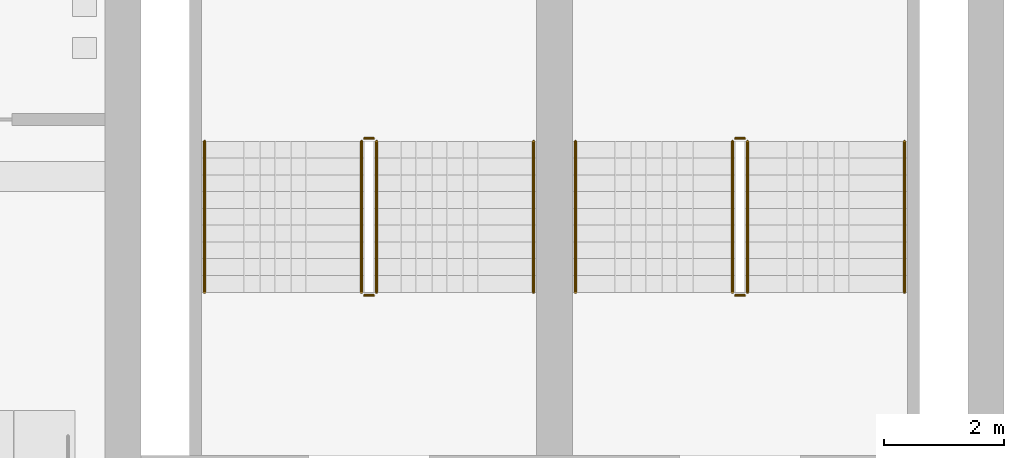
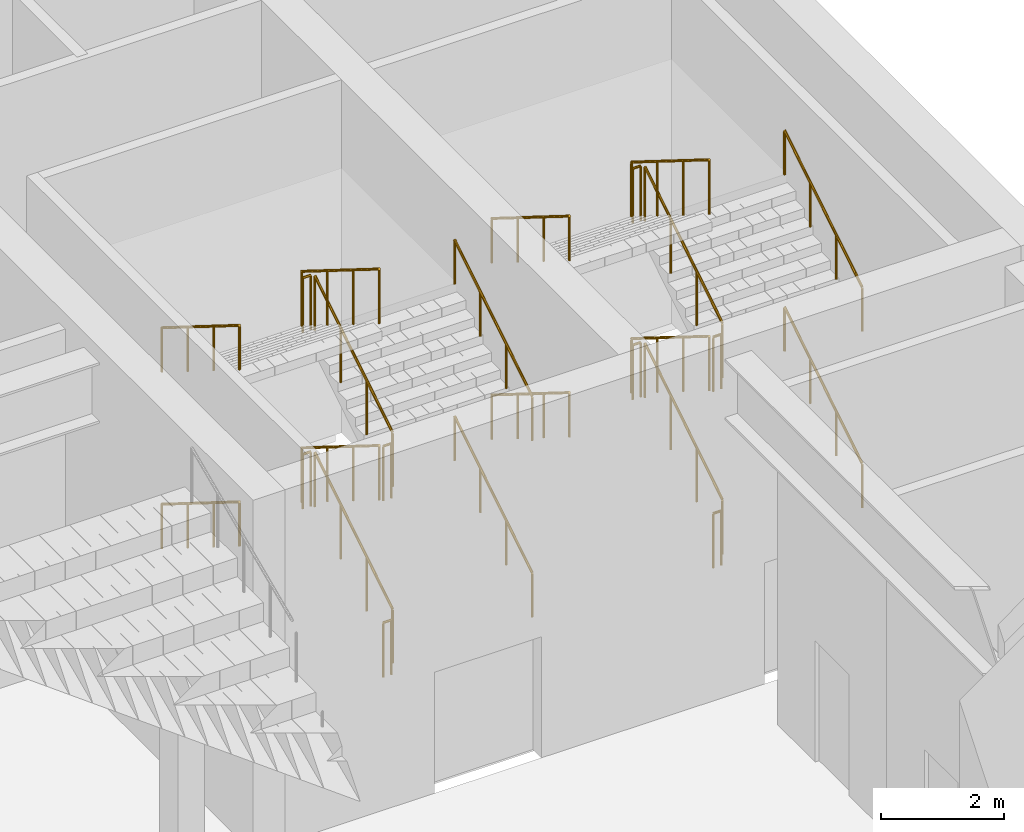
# One storey, part 61 of 62: 4 railings.
"""IFC4 building model written with IfcOpenShell, lengths in metres."""

from ifc_helpers import new_model, si_unit, direction, frame, origin, origin_2d, place, context, subcontext, project, spatial, circle, extrude, material, type_object, element, save


model = new_model("IFC4")

# Units and contexts
model_context = context("Model", 3, precision=1e-05, world=origin(), true_north=direction((0.0, 1.0)))
body_context = subcontext(model_context, "Body", "Model", "MODEL_VIEW")
ifc_project = project(units=[si_unit("LENGTHUNIT", "METRE"), si_unit("AREAUNIT", "SQUARE_METRE"), si_unit("VOLUMEUNIT", "CUBIC_METRE"), si_unit("PLANEANGLEUNIT", "RADIAN"), si_unit("MASSUNIT", "GRAM", prefix="KILO")], contexts=[model_context])

# Site, building, storey
site_placement = place(None, origin())
site = spatial("IfcSite", under=ifc_project, at=site_placement, CompositionType="ELEMENT")
building_placement = place(site_placement, origin())
building = spatial("IfcBuilding", under=site, at=building_placement, Name="Corbelhall Arena Tower", CompositionType="ELEMENT")
storey_placement = place(building_placement, frame((0.0, 0.0, 12.0)))
storey = spatial("IfcBuildingStorey", under=building, at=storey_placement, Name="L01", CompositionType="ELEMENT", Elevation=12.0)

# Railings
ifc_material = material(Name="Stainless steel A4", Category="steel")
railing_type_1 = type_object("IfcRailingType", Name="AR-STAIR-GUARD", PredefinedType="GUARDRAIL", material=ifc_material)
railing_1_placement = place(storey_placement, frame((37.530029296875, 27.320068359375, 0.175048828125)))
element("IfcRailing", 1, at=railing_1_placement, inside=storey, type_object=railing_type_1, Name="L01 AS1 stair guards", PredefinedType="GUARDRAIL", context=body_context, shape_type="SweptSolid", body=[
    extrude(circle(Radius=0.02392578125, at=origin_2d()), frame((0.0, 0.0, 1.076171875), z_axis=(0.0, 0.848007534815, 0.529984170421), x_axis=(-1.0, 0.0, 0.0)), (0.0, 0.0, 1.0), 2.9716796875),
    extrude(circle(Radius=0.02392578125, at=origin_2d()), frame((-0.050048828125, 2.56982421875, 2.65087890625), z_axis=(-1.0, 0.0, 0.0), x_axis=(0.0, -1.0, 0.0)), (0.0, 0.0, 1.0), 0.14990234375),
    extrude(circle(Radius=0.02392578125, at=origin_2d()), frame((-0.25, 2.52001953125, 2.826171875), z_axis=(0.0, -0.848007534815, 0.529984170421), x_axis=(1.0, 0.0, 0.0)), (0.0, 0.0, 1.0), 2.9716796875),
    extrude(circle(Radius=0.02392578125, at=origin_2d()), frame((-0.050048828125, -0.050048828125, 4.40087890625), z_axis=(-1.0, 0.0, 0.0), x_axis=(0.0, -1.0, 0.0)), (0.0, 0.0, 1.0), 0.14990234375),
    extrude(circle(Radius=0.02392578125, at=origin_2d()), frame((0.0, 0.0, 4.576171875), z_axis=(0.0, 0.848007534815, 0.529984170421), x_axis=(-1.0, 0.0, 0.0)), (0.0, 0.0, 1.0), 2.9716796875),
    extrude(circle(Radius=0.02392578125, at=origin_2d()), frame((-0.050048828125, 2.56982421875, 6.15087890625), z_axis=(-1.0, 0.0, 0.0), x_axis=(0.0, -1.0, 0.0)), (0.0, 0.0, 1.0), 0.14990234375),
    extrude(circle(Radius=0.02392578125, at=origin_2d()), frame((-0.25, 2.52001953125, 6.326171875), z_axis=(0.0, -0.848007534815, 0.529984170421), x_axis=(1.0, 0.0, 0.0)), (0.0, 0.0, 1.0), 2.9716796875),
    extrude(circle(Radius=0.02392578125, at=origin_2d()), frame((-0.050048828125, -0.050048828125, 0.90087890625), z_axis=(-1.0, 0.0, 0.0), x_axis=(0.0, -1.0, 0.0)), (0.0, 0.0, 1.0), 0.14990234375),
    extrude(circle(Radius=0.02099609375, at=origin_2d()), origin(), (0.0, 0.0, 1.0), 1.052001953125),
    extrude(circle(Radius=0.02099609375, at=origin_2d()), frame((0.0, 0.840087890625, 0.52490234375)), (0.0, 0.0, 1.0), 1.052001953125),
    extrude(circle(Radius=0.02099609375, at=origin_2d()), frame((0.0, 1.679931640625, 1.050048828125)), (0.0, 0.0, 1.0), 1.052001953125),
    extrude(circle(Radius=0.02099609375, at=origin_2d()), frame((0.0, 2.52001953125, 1.574951171875)), (0.0, 0.0, 1.0), 1.052001953125),
    extrude(circle(Radius=0.02099609375, at=origin_2d()), frame((-0.050048828125, 2.56982421875, 1.574951171875)), (0.0, 0.0, 1.0), 1.052001953125),
    extrude(circle(Radius=0.02099609375, at=origin_2d()), frame((-0.199951171875, 2.56982421875, 1.574951171875)), (0.0, 0.0, 1.0), 1.052001953125),
    extrude(circle(Radius=0.02099609375, at=origin_2d()), frame((-0.25, 2.52001953125, 1.75)), (0.0, 0.0, 1.0), 1.052001953125),
    extrude(circle(Radius=0.02099609375, at=origin_2d()), frame((-0.25, 1.679931640625, 2.27490234375)), (0.0, 0.0, 1.0), 1.052001953125),
    extrude(circle(Radius=0.02099609375, at=origin_2d()), frame((-0.25, 0.840087890625, 2.800048828125)), (0.0, 0.0, 1.0), 1.052001953125),
    extrude(circle(Radius=0.02099609375, at=origin_2d()), frame((-0.25, 0.0, 3.324951171875)), (0.0, 0.0, 1.0), 1.052001953125),
    extrude(circle(Radius=0.02099609375, at=origin_2d()), frame((-0.050048828125, -0.050048828125, 3.324951171875)), (0.0, 0.0, 1.0), 1.052001953125),
    extrude(circle(Radius=0.02099609375, at=origin_2d()), frame((-0.199951171875, -0.050048828125, 3.324951171875)), (0.0, 0.0, 1.0), 1.052001953125),
    extrude(circle(Radius=0.02099609375, at=origin_2d()), frame((0.0, 0.0, 3.5)), (0.0, 0.0, 1.0), 1.052001953125),
    extrude(circle(Radius=0.02099609375, at=origin_2d()), frame((0.0, 0.840087890625, 4.02490234375)), (0.0, 0.0, 1.0), 1.052001953125),
    extrude(circle(Radius=0.02099609375, at=origin_2d()), frame((0.0, 1.679931640625, 4.550048828125)), (0.0, 0.0, 1.0), 1.052001953125),
    extrude(circle(Radius=0.02099609375, at=origin_2d()), frame((0.0, 2.52001953125, 5.074951171875)), (0.0, 0.0, 1.0), 1.052001953125),
    extrude(circle(Radius=0.02099609375, at=origin_2d()), frame((-0.050048828125, 2.56982421875, 5.074951171875)), (0.0, 0.0, 1.0), 1.052001953125),
    extrude(circle(Radius=0.02099609375, at=origin_2d()), frame((-0.199951171875, 2.56982421875, 5.074951171875)), (0.0, 0.0, 1.0), 1.052001953125),
    extrude(circle(Radius=0.02099609375, at=origin_2d()), frame((-0.25, 2.52001953125, 5.25)), (0.0, 0.0, 1.0), 1.052001953125),
    extrude(circle(Radius=0.02099609375, at=origin_2d()), frame((-0.25, 1.679931640625, 5.77490234375)), (0.0, 0.0, 1.0), 1.052001953125),
    extrude(circle(Radius=0.02099609375, at=origin_2d()), frame((-0.25, 0.840087890625, 6.300048828125)), (0.0, 0.0, 1.0), 1.052001953125),
    extrude(circle(Radius=0.02099609375, at=origin_2d()), frame((-0.25, 0.0, 6.824951171875)), (0.0, 0.0, 1.0), 1.052001953125),
    extrude(circle(Radius=0.02099609375, at=origin_2d()), frame((-0.050048828125, -0.050048828125, -0.175048828125)), (0.0, 0.0, 1.0), 1.052001953125),
    extrude(circle(Radius=0.02099609375, at=origin_2d()), frame((-0.199951171875, -0.050048828125, -0.175048828125)), (0.0, 0.0, 1.0), 1.052001953125),
])
railing_2_placement = place(storey_placement, frame((43.719970703125, 27.320068359375, 0.175048828125)))
element("IfcRailing", 2, at=railing_2_placement, inside=storey, type_object=railing_type_1, Name="L01 AS2 stair guards", PredefinedType="GUARDRAIL", context=body_context, shape_type="SweptSolid", body=[
    extrude(circle(Radius=0.02392578125, at=origin_2d()), frame((0.0, 0.0, 1.076171875), z_axis=(0.0, 0.848007534815, 0.529984170421), x_axis=(-1.0, 0.0, 0.0)), (0.0, 0.0, 1.0), 2.9716796875),
    extrude(circle(Radius=0.02392578125, at=origin_2d()), frame((-0.050048828125, 2.56982421875, 2.65087890625), z_axis=(-1.0, 0.0, 0.0), x_axis=(0.0, -1.0, 0.0)), (0.0, 0.0, 1.0), 0.14990234375),
    extrude(circle(Radius=0.02392578125, at=origin_2d()), frame((-0.25, 2.52001953125, 2.826171875), z_axis=(0.0, -0.848007534815, 0.529984170421), x_axis=(1.0, 0.0, 0.0)), (0.0, 0.0, 1.0), 2.9716796875),
    extrude(circle(Radius=0.02392578125, at=origin_2d()), frame((-0.050048828125, -0.050048828125, 4.40087890625), z_axis=(-1.0, 0.0, 0.0), x_axis=(0.0, -1.0, 0.0)), (0.0, 0.0, 1.0), 0.14990234375),
    extrude(circle(Radius=0.02392578125, at=origin_2d()), frame((0.0, 0.0, 4.576171875), z_axis=(0.0, 0.848007534815, 0.529984170421), x_axis=(-1.0, 0.0, 0.0)), (0.0, 0.0, 1.0), 2.9716796875),
    extrude(circle(Radius=0.02392578125, at=origin_2d()), frame((-0.050048828125, 2.56982421875, 6.15087890625), z_axis=(-1.0, 0.0, 0.0), x_axis=(0.0, -1.0, 0.0)), (0.0, 0.0, 1.0), 0.14990234375),
    extrude(circle(Radius=0.02392578125, at=origin_2d()), frame((-0.25, 2.52001953125, 6.326171875), z_axis=(0.0, -0.848007534815, 0.529984170421), x_axis=(1.0, 0.0, 0.0)), (0.0, 0.0, 1.0), 2.9716796875),
    extrude(circle(Radius=0.02392578125, at=origin_2d()), frame((-0.050048828125, -0.050048828125, 0.90087890625), z_axis=(-1.0, 0.0, 0.0), x_axis=(0.0, -1.0, 0.0)), (0.0, 0.0, 1.0), 0.14990234375),
    extrude(circle(Radius=0.02099609375, at=origin_2d()), origin(), (0.0, 0.0, 1.0), 1.052001953125),
    extrude(circle(Radius=0.02099609375, at=origin_2d()), frame((0.0, 0.840087890625, 0.52490234375)), (0.0, 0.0, 1.0), 1.052001953125),
    extrude(circle(Radius=0.02099609375, at=origin_2d()), frame((0.0, 1.679931640625, 1.050048828125)), (0.0, 0.0, 1.0), 1.052001953125),
    extrude(circle(Radius=0.02099609375, at=origin_2d()), frame((0.0, 2.52001953125, 1.574951171875)), (0.0, 0.0, 1.0), 1.052001953125),
    extrude(circle(Radius=0.02099609375, at=origin_2d()), frame((-0.050048828125, 2.56982421875, 1.574951171875)), (0.0, 0.0, 1.0), 1.052001953125),
    extrude(circle(Radius=0.02099609375, at=origin_2d()), frame((-0.199951171875, 2.56982421875, 1.574951171875)), (0.0, 0.0, 1.0), 1.052001953125),
    extrude(circle(Radius=0.02099609375, at=origin_2d()), frame((-0.25, 2.52001953125, 1.75)), (0.0, 0.0, 1.0), 1.052001953125),
    extrude(circle(Radius=0.02099609375, at=origin_2d()), frame((-0.25, 1.679931640625, 2.27490234375)), (0.0, 0.0, 1.0), 1.052001953125),
    extrude(circle(Radius=0.02099609375, at=origin_2d()), frame((-0.25, 0.840087890625, 2.800048828125)), (0.0, 0.0, 1.0), 1.052001953125),
    extrude(circle(Radius=0.02099609375, at=origin_2d()), frame((-0.25, 0.0, 3.324951171875)), (0.0, 0.0, 1.0), 1.052001953125),
    extrude(circle(Radius=0.02099609375, at=origin_2d()), frame((-0.050048828125, -0.050048828125, 3.324951171875)), (0.0, 0.0, 1.0), 1.052001953125),
    extrude(circle(Radius=0.02099609375, at=origin_2d()), frame((-0.199951171875, -0.050048828125, 3.324951171875)), (0.0, 0.0, 1.0), 1.052001953125),
    extrude(circle(Radius=0.02099609375, at=origin_2d()), frame((0.0, 0.0, 3.5)), (0.0, 0.0, 1.0), 1.052001953125),
    extrude(circle(Radius=0.02099609375, at=origin_2d()), frame((0.0, 0.840087890625, 4.02490234375)), (0.0, 0.0, 1.0), 1.052001953125),
    extrude(circle(Radius=0.02099609375, at=origin_2d()), frame((0.0, 1.679931640625, 4.550048828125)), (0.0, 0.0, 1.0), 1.052001953125),
    extrude(circle(Radius=0.02099609375, at=origin_2d()), frame((0.0, 2.52001953125, 5.074951171875)), (0.0, 0.0, 1.0), 1.052001953125),
    extrude(circle(Radius=0.02099609375, at=origin_2d()), frame((-0.050048828125, 2.56982421875, 5.074951171875)), (0.0, 0.0, 1.0), 1.052001953125),
    extrude(circle(Radius=0.02099609375, at=origin_2d()), frame((-0.199951171875, 2.56982421875, 5.074951171875)), (0.0, 0.0, 1.0), 1.052001953125),
    extrude(circle(Radius=0.02099609375, at=origin_2d()), frame((-0.25, 2.52001953125, 5.25)), (0.0, 0.0, 1.0), 1.052001953125),
    extrude(circle(Radius=0.02099609375, at=origin_2d()), frame((-0.25, 1.679931640625, 5.77490234375)), (0.0, 0.0, 1.0), 1.052001953125),
    extrude(circle(Radius=0.02099609375, at=origin_2d()), frame((-0.25, 0.840087890625, 6.300048828125)), (0.0, 0.0, 1.0), 1.052001953125),
    extrude(circle(Radius=0.02099609375, at=origin_2d()), frame((-0.25, 0.0, 6.824951171875)), (0.0, 0.0, 1.0), 1.052001953125),
    extrude(circle(Radius=0.02099609375, at=origin_2d()), frame((-0.050048828125, -0.050048828125, -0.175048828125)), (0.0, 0.0, 1.0), 1.052001953125),
    extrude(circle(Radius=0.02099609375, at=origin_2d()), frame((-0.199951171875, -0.050048828125, -0.175048828125)), (0.0, 0.0, 1.0), 1.052001953125),
])
railing_type_2 = type_object("IfcRailingType", Name="AR-STAIR-HANDRAIL", PredefinedType="HANDRAIL", material=ifc_material)
railing_3_placement = place(storey_placement, frame((40.14990234375, 27.320068359375, 0.175048828125)))
element("IfcRailing", 3, at=railing_3_placement, inside=storey, type_object=railing_type_2, Name="L01 AS1 stair handrails", PredefinedType="HANDRAIL", context=body_context, shape_type="SweptSolid", body=[
    extrude(circle(Radius=0.02392578125, at=origin_2d()), frame((0.0, 0.0, 0.8759765625), z_axis=(0.0, 0.848007534815, 0.529984170421), x_axis=(-1.0, 0.0, 0.0)), (0.0, 0.0, 1.0), 2.9716796875),
    extrude(circle(Radius=0.02392578125, at=origin_2d()), frame((-5.489990234375, 2.52001953125, 2.6259765625), z_axis=(0.0, -0.848007534815, 0.529984170421), x_axis=(1.0, 0.0, 0.0)), (0.0, 0.0, 1.0), 2.9716796875),
    extrude(circle(Radius=0.02392578125, at=origin_2d()), frame((0.0, 0.0, 4.3759765625), z_axis=(0.0, 0.848007534815, 0.529984170421), x_axis=(-1.0, 0.0, 0.0)), (0.0, 0.0, 1.0), 2.9716796875),
    extrude(circle(Radius=0.02392578125, at=origin_2d()), frame((-5.489990234375, 2.52001953125, 6.1259765625), z_axis=(0.0, -0.848007534815, 0.529984170421), x_axis=(1.0, 0.0, 0.0)), (0.0, 0.0, 1.0), 2.9716796875),
    extrude(circle(Radius=0.02099609375, at=origin_2d()), origin(), (0.0, 0.0, 1.0), 0.851806640625),
    extrude(circle(Radius=0.02099609375, at=origin_2d()), frame((0.0, 0.840087890625, 0.52490234375)), (0.0, 0.0, 1.0), 0.851806640625),
    extrude(circle(Radius=0.02099609375, at=origin_2d()), frame((0.0, 1.679931640625, 1.050048828125)), (0.0, 0.0, 1.0), 0.851806640625),
    extrude(circle(Radius=0.02099609375, at=origin_2d()), frame((0.0, 2.52001953125, 1.574951171875)), (0.0, 0.0, 1.0), 0.851806640625),
    extrude(circle(Radius=0.02099609375, at=origin_2d()), frame((-5.489990234375, 2.52001953125, 1.75)), (0.0, 0.0, 1.0), 0.851806640625),
    extrude(circle(Radius=0.02099609375, at=origin_2d()), frame((-5.489990234375, 1.679931640625, 2.27490234375)), (0.0, 0.0, 1.0), 0.851806640625),
    extrude(circle(Radius=0.02099609375, at=origin_2d()), frame((-5.489990234375, 0.840087890625, 2.800048828125)), (0.0, 0.0, 1.0), 0.851806640625),
    extrude(circle(Radius=0.02099609375, at=origin_2d()), frame((-5.489990234375, 0.0, 3.324951171875)), (0.0, 0.0, 1.0), 0.851806640625),
    extrude(circle(Radius=0.02099609375, at=origin_2d()), frame((0.0, 0.0, 3.5)), (0.0, 0.0, 1.0), 0.851806640625),
    extrude(circle(Radius=0.02099609375, at=origin_2d()), frame((0.0, 0.840087890625, 4.02490234375)), (0.0, 0.0, 1.0), 0.851806640625),
    extrude(circle(Radius=0.02099609375, at=origin_2d()), frame((0.0, 1.679931640625, 4.550048828125)), (0.0, 0.0, 1.0), 0.851806640625),
    extrude(circle(Radius=0.02099609375, at=origin_2d()), frame((0.0, 2.52001953125, 5.074951171875)), (0.0, 0.0, 1.0), 0.851806640625),
    extrude(circle(Radius=0.02099609375, at=origin_2d()), frame((-5.489990234375, 2.52001953125, 5.25)), (0.0, 0.0, 1.0), 0.851806640625),
    extrude(circle(Radius=0.02099609375, at=origin_2d()), frame((-5.489990234375, 1.679931640625, 5.77490234375)), (0.0, 0.0, 1.0), 0.851806640625),
    extrude(circle(Radius=0.02099609375, at=origin_2d()), frame((-5.489990234375, 0.840087890625, 6.300048828125)), (0.0, 0.0, 1.0), 0.851806640625),
    extrude(circle(Radius=0.02099609375, at=origin_2d()), frame((-5.489990234375, 0.0, 6.824951171875)), (0.0, 0.0, 1.0), 0.851806640625),
])
railing_4_placement = place(storey_placement, frame((46.340087890625, 27.320068359375, 0.175048828125)))
element("IfcRailing", 4, at=railing_4_placement, inside=storey, type_object=railing_type_2, Name="L01 AS2 stair handrails", PredefinedType="HANDRAIL", context=body_context, shape_type="SweptSolid", body=[
    extrude(circle(Radius=0.02392578125, at=origin_2d()), frame((0.0, 0.0, 0.8759765625), z_axis=(0.0, 0.848007534815, 0.529984170421), x_axis=(-1.0, 0.0, 0.0)), (0.0, 0.0, 1.0), 2.9716796875),
    extrude(circle(Radius=0.02392578125, at=origin_2d()), frame((-5.489990234375, 2.52001953125, 2.6259765625), z_axis=(0.0, -0.848007534815, 0.529984170421), x_axis=(1.0, 0.0, 0.0)), (0.0, 0.0, 1.0), 2.9716796875),
    extrude(circle(Radius=0.02392578125, at=origin_2d()), frame((0.0, 0.0, 4.3759765625), z_axis=(0.0, 0.848007534815, 0.529984170421), x_axis=(-1.0, 0.0, 0.0)), (0.0, 0.0, 1.0), 2.9716796875),
    extrude(circle(Radius=0.02392578125, at=origin_2d()), frame((-5.489990234375, 2.52001953125, 6.1259765625), z_axis=(0.0, -0.848007534815, 0.529984170421), x_axis=(1.0, 0.0, 0.0)), (0.0, 0.0, 1.0), 2.9716796875),
    extrude(circle(Radius=0.02099609375, at=origin_2d()), origin(), (0.0, 0.0, 1.0), 0.851806640625),
    extrude(circle(Radius=0.02099609375, at=origin_2d()), frame((0.0, 0.840087890625, 0.52490234375)), (0.0, 0.0, 1.0), 0.851806640625),
    extrude(circle(Radius=0.02099609375, at=origin_2d()), frame((0.0, 1.679931640625, 1.050048828125)), (0.0, 0.0, 1.0), 0.851806640625),
    extrude(circle(Radius=0.02099609375, at=origin_2d()), frame((0.0, 2.52001953125, 1.574951171875)), (0.0, 0.0, 1.0), 0.851806640625),
    extrude(circle(Radius=0.02099609375, at=origin_2d()), frame((-5.489990234375, 2.52001953125, 1.75)), (0.0, 0.0, 1.0), 0.851806640625),
    extrude(circle(Radius=0.02099609375, at=origin_2d()), frame((-5.489990234375, 1.679931640625, 2.27490234375)), (0.0, 0.0, 1.0), 0.851806640625),
    extrude(circle(Radius=0.02099609375, at=origin_2d()), frame((-5.489990234375, 0.840087890625, 2.800048828125)), (0.0, 0.0, 1.0), 0.851806640625),
    extrude(circle(Radius=0.02099609375, at=origin_2d()), frame((-5.489990234375, 0.0, 3.324951171875)), (0.0, 0.0, 1.0), 0.851806640625),
    extrude(circle(Radius=0.02099609375, at=origin_2d()), frame((0.0, 0.0, 3.5)), (0.0, 0.0, 1.0), 0.851806640625),
    extrude(circle(Radius=0.02099609375, at=origin_2d()), frame((0.0, 0.840087890625, 4.02490234375)), (0.0, 0.0, 1.0), 0.851806640625),
    extrude(circle(Radius=0.02099609375, at=origin_2d()), frame((0.0, 1.679931640625, 4.550048828125)), (0.0, 0.0, 1.0), 0.851806640625),
    extrude(circle(Radius=0.02099609375, at=origin_2d()), frame((0.0, 2.52001953125, 5.074951171875)), (0.0, 0.0, 1.0), 0.851806640625),
    extrude(circle(Radius=0.02099609375, at=origin_2d()), frame((-5.489990234375, 2.52001953125, 5.25)), (0.0, 0.0, 1.0), 0.851806640625),
    extrude(circle(Radius=0.02099609375, at=origin_2d()), frame((-5.489990234375, 1.679931640625, 5.77490234375)), (0.0, 0.0, 1.0), 0.851806640625),
    extrude(circle(Radius=0.02099609375, at=origin_2d()), frame((-5.489990234375, 0.840087890625, 6.300048828125)), (0.0, 0.0, 1.0), 0.851806640625),
    extrude(circle(Radius=0.02099609375, at=origin_2d()), frame((-5.489990234375, 0.0, 6.824951171875)), (0.0, 0.0, 1.0), 0.851806640625),
])

save(model, "model.ifc")
